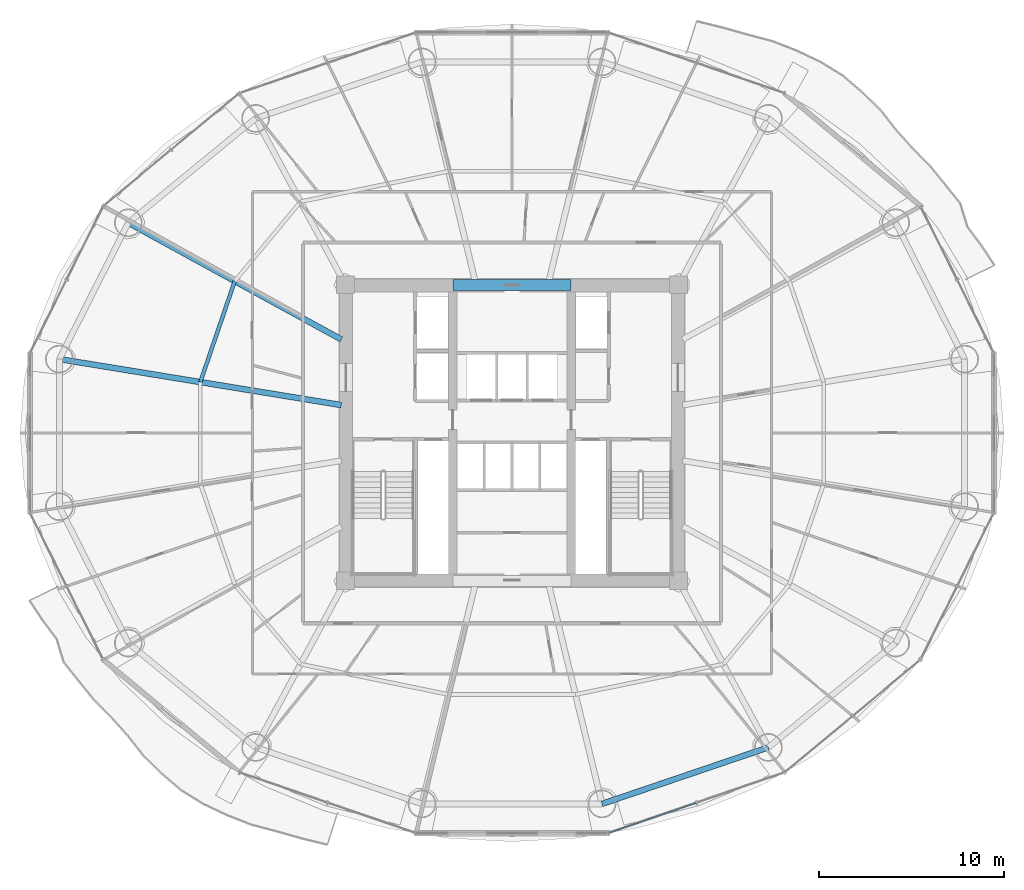
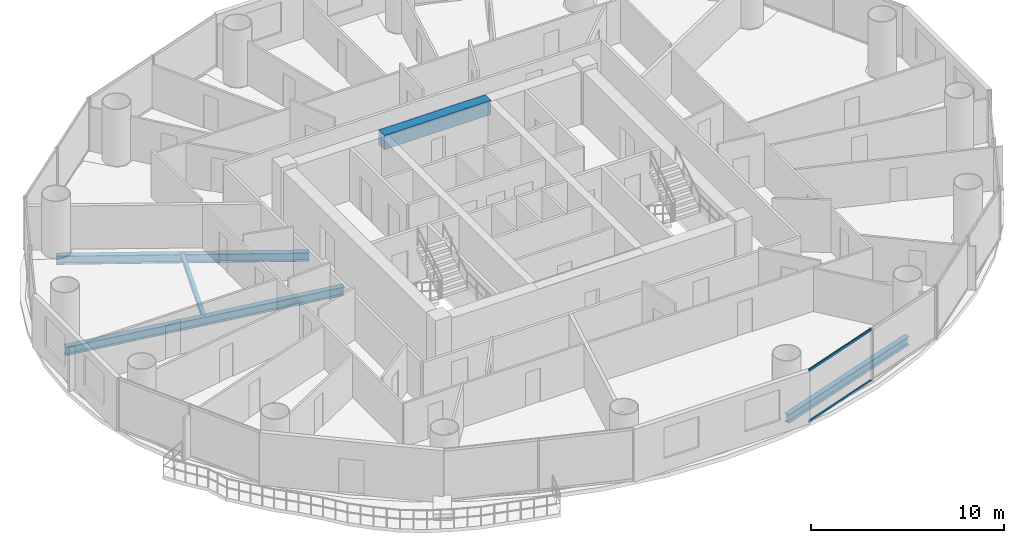
# One storey, part 10 of 29: 5 beams, 2 members, 1 element without a shape of its own.
"""IFC4 building model written with IfcOpenShell, lengths in metres."""

from ifc_helpers import new_model, si_unit, direction, frame, origin, origin_2d, place, context, subcontext, project, spatial, rectangle, hollow_rectangle, i_section, extrude, source, transform, mapped, material, material_profile, profile_set, type_object, element, aggregate, save


model = new_model("IFC4")

# Units and contexts
model_context = context("Model", 3, precision=1e-05, world=origin(), true_north=direction((-0.2419218956, 0.970295726276)))
body_context = subcontext(model_context, "Body", "Model", "MODEL_VIEW")
ifc_project = project(units=[si_unit("LENGTHUNIT", "METRE"), si_unit("AREAUNIT", "SQUARE_METRE"), si_unit("VOLUMEUNIT", "CUBIC_METRE"), si_unit("PLANEANGLEUNIT", "RADIAN"), si_unit("MASSUNIT", "GRAM", prefix="KILO")], contexts=[model_context])

# Site, building, storey
site_placement = place(None, origin())
site = spatial("IfcSite", under=ifc_project, at=site_placement, CompositionType="ELEMENT")
building_placement = place(site_placement, origin())
building = spatial("IfcBuilding", under=site, at=building_placement, Name="Cobrevalo Terracotta Tower", CompositionType="ELEMENT")
storey_placement = place(building_placement, frame((0.0, 0.0, 90.60009765625)))
storey = spatial("IfcBuildingStorey", under=building, at=storey_placement, Name="L23", CompositionType="ELEMENT", Elevation=90.60009765625)

# Beams
ifc_material_1 = material(Name="Concrete C60", Category="concrete")
ifc_material_profile_1 = material_profile(ifc_material_1, rectangle(XDim=0.60009765625, YDim=0.89990234375, at=origin_2d()), Name="RC CB 600x900")
ifc_profile_set_1 = profile_set([ifc_material_profile_1], Name="Concrete C60")
beam_type_1 = type_object("IfcBeamType", Name="Structural Beam RC CB 600x900 (Concrete C60)", PredefinedType="BEAM", material=ifc_profile_set_1)
beam_1_placement = place(storey_placement, frame((34.800048828125, 34.800048828125, 2.875), z_axis=(1.0, 0.0, 0.0), x_axis=(0.0, 1.0, 0.0)))
element("IfcBeam", 1, at=beam_1_placement, inside=storey, type_object=beam_type_1, Name="L23 core coupling beam 2", PredefinedType="BEAM", context=body_context, shape_type="SweptSolid", body=[
    extrude(rectangle(XDim=0.60009765625, YDim=0.89990234375, at=origin_2d()), origin(), (0.0, 0.0, 1.0), 6.39990234375),
])
ifc_material_2 = material(Name="Steel S355", Category="steel")
ifc_material_profile_2 = material_profile(ifc_material_2, i_section(OverallWidth=0.31201171875, OverallDepth=0.54296875, WebThickness=0.0126953125, FlangeThickness=0.020263671875, at=origin_2d()), Name="W 530x150")
ifc_profile_set_2 = profile_set([ifc_material_profile_2], Name="Steel S355")
beam_type_2 = type_object("IfcBeamType", Name="Structural Beam W 530x150 (Steel S355)", PredefinedType="BEAM", material=ifc_profile_set_2)
beam_2_placement = place(storey_placement, frame((17.2548828125, 38.161376953125, -0.546630859375), z_axis=(0.877080599376, -0.480343233738, 0.0), x_axis=(0.480343233738, 0.877080599376, 0.0)))
element("IfcBeam", 2, at=beam_2_placement, inside=storey, type_object=beam_type_2, Name="L23 radial floor girder 07", PredefinedType="BEAM", context=body_context, shape_type="SweptSolid", body=[
    extrude(i_section(OverallWidth=0.31201171875, OverallDepth=0.54296875, WebThickness=0.0126953125, FlangeThickness=0.020263671875, at=origin_2d()), origin(), (0.0, 0.0, 1.0), 13.12890625),
])
beam_3_placement = place(storey_placement, frame((13.529296875, 30.78955078125, -0.546630859375), z_axis=(0.986970567439, -0.160900898101, 0.0), x_axis=(0.160900898101, 0.986970567439, 0.0)))
element("IfcBeam", 3, at=beam_3_placement, inside=storey, type_object=beam_type_2, Name="L23 radial floor girder 08", PredefinedType="BEAM", context=body_context, shape_type="SweptSolid", body=[
    extrude(i_section(OverallWidth=0.31201171875, OverallDepth=0.54296875, WebThickness=0.0126953125, FlangeThickness=0.020263671875, at=origin_2d()), origin(), (0.0, 0.0, 1.0), 15.44189453125),
])
ifc_material_profile_3 = material_profile(ifc_material_2, i_section(OverallWidth=0.2041015625, OverallDepth=0.305908203125, WebThickness=0.008544921875, FlangeThickness=0.0146484375, at=origin_2d()), Name="W 310x67")
ifc_profile_set_3 = profile_set([ifc_material_profile_3], Name="Steel S355")
beam_type_3 = type_object("IfcBeamType", Name="Structural Joist W 310x67 (Steel S355)", PredefinedType="JOIST", material=ifc_profile_set_3)
beam_4_placement = place(storey_placement, frame((23.012451171875, 35.00830078125, -0.427978515625), z_axis=(-0.322833299398, -0.94645584197, 0.0), x_axis=(0.94645584197, -0.322833299398, 0.0)))
element("IfcBeam", 4, at=beam_4_placement, inside=storey, type_object=beam_type_3, Name="L23 circumferential secondary floor joist 07", PredefinedType="JOIST", context=body_context, shape_type="SweptSolid", body=[
    extrude(i_section(OverallWidth=0.2041015625, OverallDepth=0.305908203125, WebThickness=0.008544921875, FlangeThickness=0.0146484375, at=origin_2d()), origin(), (0.0, 0.0, 1.0), 5.77001953125),
])
ifc_material_profile_4 = material_profile(ifc_material_2, i_section(OverallWidth=0.31201171875, OverallDepth=0.54296875, WebThickness=0.0126953125, FlangeThickness=0.020263671875, at=origin_2d()), Name="W 530x150")
ifc_profile_set_4 = profile_set([ifc_material_profile_4], Name="Steel S355")
beam_type_4 = type_object("IfcBeamType", Name="Structural Spandrel W 530x150 (Steel S355)", PredefinedType="SPANDREL", material=ifc_profile_set_4)
beam_5_placement = place(storey_placement, frame((42.867431640625, 6.742919921875, -0.546630859375), z_axis=(0.94691835344, 0.321474154356, 0.0), x_axis=(-0.321474154356, 0.94691835344, 0.0)))
element("IfcBeam", 5, at=beam_5_placement, inside=storey, type_object=beam_type_4, Name="L23 perimeter ring spandrel 13", PredefinedType="SPANDREL", context=body_context, shape_type="SweptSolid", body=[
    extrude(i_section(OverallWidth=0.31201171875, OverallDepth=0.54296875, WebThickness=0.0126953125, FlangeThickness=0.020263671875, at=origin_2d()), origin(), (0.0, 0.0, 1.0), 9.498291015625),
])

# Curtain wall, members
ifc_material_3 = material(Name="Anodized aluminium", Category="aluminium")
curtain_wall_type = type_object("IfcCurtainWallType", Name="Lower-tower unitised acoustic low-E curtain wall CW-U1", PredefinedType="NOTDEFINED", material=ifc_material_3)
curtain_wall_placement = place(storey_placement, origin())
curtain_wall = element("IfcCurtainWall", 6, at=curtain_wall_placement, inside=storey, type_object=curtain_wall_type, Name="L23 curtain wall CW-L23-S13", PredefinedType="NOTDEFINED")
ifc_material_profile_5 = material_profile(ifc_material_3, hollow_rectangle(XDim=0.074951171875, YDim=0.14990234375, WallThickness=0.00439453125, at=origin_2d()), Name="CWT 75x150")
ifc_profile_set_5 = profile_set([ifc_material_profile_5], Name="Anodized aluminium")
member_type = type_object("IfcMemberType", Name="Tower unitised aluminium transom 75x150", PredefinedType="USERDEFINED", material=ifc_profile_set_5)
shared_shape = source(origin(), body_context, "Body", "SweptSolid", [
    extrude(hollow_rectangle(XDim=0.074951171875, YDim=0.14990234375, WallThickness=0.00439453125, at=origin_2d()), origin(), (0.0, 0.0, 1.0), 4.944580078125),
])
member_1_placement = place(storey_placement, frame((43.25927734375, 5.18017578125, 0.0498046875), z_axis=(0.945597859971, 0.32533780478, 0.0), x_axis=(-0.32533780478, 0.945597859971, 0.0)))
member_1 = element("IfcMember", 7, at=member_1_placement, type_object=member_type, Name="CW-L23-S13 transom B01-T1", ObjectType="TRANSOM", PredefinedType="USERDEFINED", context=body_context, shape_type="MappedRepresentation", body=[
    mapped(shared_shape, transform((0.0, 0.0, 0.0), scale=1.0)),
])
member_2_placement = place(storey_placement, frame((43.25927734375, 5.18017578125, 3.27490234375), z_axis=(0.945597859971, 0.32533780478, 0.0), x_axis=(-0.32533780478, 0.945597859971, 0.0)))
member_2 = element("IfcMember", 8, at=member_2_placement, type_object=member_type, Name="CW-L23-S13 transom B01-T2", ObjectType="TRANSOM", PredefinedType="USERDEFINED", context=body_context, shape_type="MappedRepresentation", body=[
    mapped(shared_shape, transform((0.0, 0.0, 0.0), scale=1.0)),
])
aggregate(curtain_wall, [member_1, member_2])

save(model, "model.ifc")
